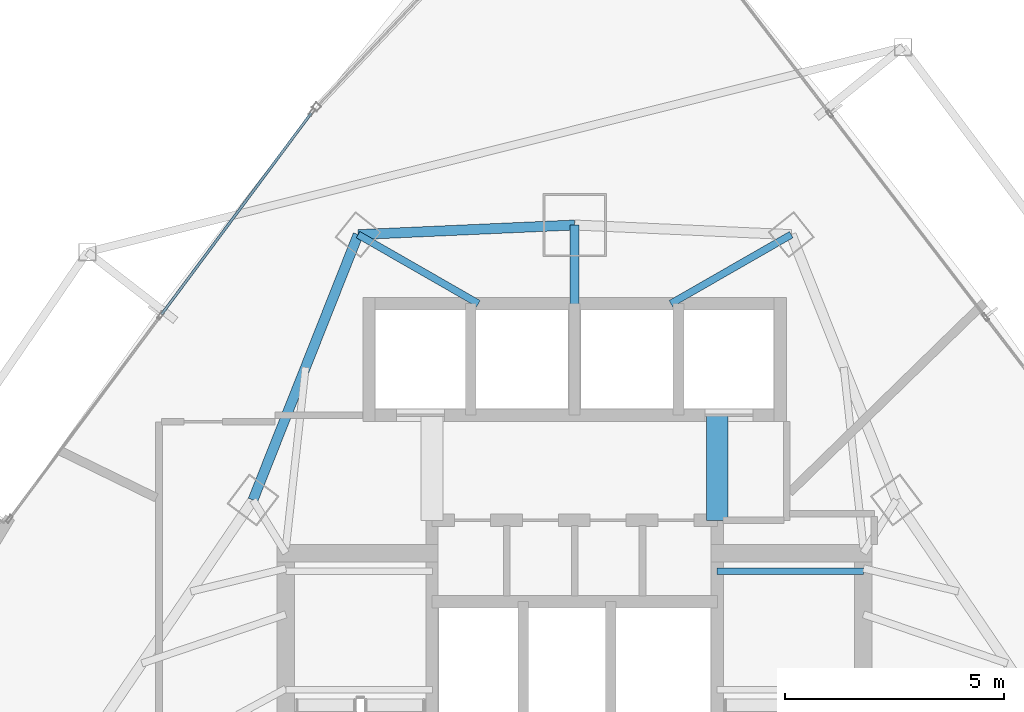
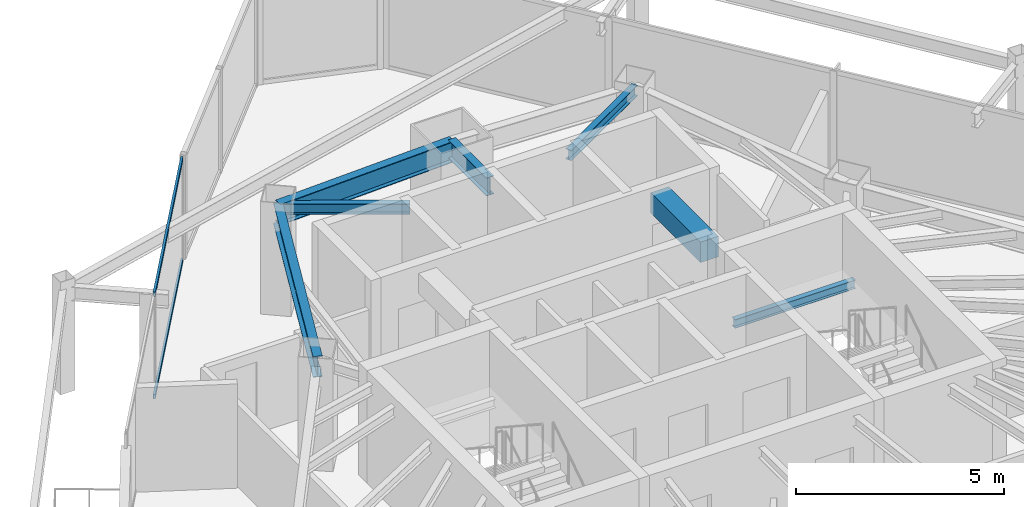
# One storey, part 18 of 31: 7 beams, 2 members, 1 element without a shape of its own.
"""IFC4 building model written with IfcOpenShell, lengths in metres."""

from ifc_helpers import new_model, si_unit, direction, frame, origin, origin_2d, place, context, subcontext, project, spatial, rectangle, hollow_rectangle, i_section, extrude, material, layer, layer_set, material_profile, profile_set, type_object, element, aggregate, save


model = new_model("IFC4")

# Units and contexts
model_context = context("Model", 3, precision=1e-05, world=origin(), true_north=direction((0.0, 1.0)))
body_context = subcontext(model_context, "Body", "Model", "MODEL_VIEW")
ifc_project = project(units=[si_unit("LENGTHUNIT", "METRE"), si_unit("AREAUNIT", "SQUARE_METRE"), si_unit("VOLUMEUNIT", "CUBIC_METRE"), si_unit("PLANEANGLEUNIT", "RADIAN"), si_unit("MASSUNIT", "GRAM", prefix="KILO")], contexts=[model_context])

# Site, building, storey
site_placement = place(None, origin())
site = spatial("IfcSite", under=ifc_project, at=site_placement, CompositionType="ELEMENT")
building_placement = place(site_placement, origin())
building = spatial("IfcBuilding", under=site, at=building_placement, Name="Orvanel Arch Residences", CompositionType="ELEMENT")
storey_placement = place(building_placement, frame((0.0, 0.0, 106.699951171875)))
storey = spatial("IfcBuildingStorey", under=building, at=storey_placement, Name="L29", CompositionType="ELEMENT", Elevation=106.699951171875)

# Beams
ifc_material_1 = material(Name="Structural steel AS/NZS 3679.1 Grade 300 (300 MPa)", Category="steel")
ifc_material_profile_1 = material_profile(ifc_material_1, i_section(OverallWidth=0.208984375, OverallDepth=0.532958984375, WebThickness=0.01025390625, FlangeThickness=0.015625, at=origin_2d()), Name="530UB92.4")
ifc_profile_set_1 = profile_set([ifc_material_profile_1], Name="Structural steel AS/NZS 3679.1 Grade 300 (300 MPa)")
beam_type_1 = type_object("IfcBeamType", Name="BG-530UB", PredefinedType="BEAM", material=ifc_profile_set_1)
beam_1_placement = place(storey_placement, frame((33.0, 39.550048828125, 2.7939453125), z_axis=(0.0, 1.0, 0.0), x_axis=(-1.0, 0.0, 0.0)))
element("IfcBeam", 1, at=beam_1_placement, inside=storey, type_object=beam_type_1, Name="L29 North Radial Girder", PredefinedType="BEAM", context=body_context, shape_type="SweptSolid", body=[
    extrude(i_section(OverallWidth=0.208984375, OverallDepth=0.532958984375, WebThickness=0.01025390625, FlangeThickness=0.015625, at=origin_2d()), origin(), (0.0, 0.0, 1.0), 1.847900390625),
])
ifc_material_profile_2 = material_profile(ifc_material_1, i_section(OverallWidth=0.14599609375, OverallDepth=0.251953125, WebThickness=0.006103515625, FlangeThickness=0.008544921875, at=origin_2d()), Name="250UB31.4")
ifc_profile_set_2 = profile_set([ifc_material_profile_2], Name="Structural steel AS/NZS 3679.1 Grade 300 (300 MPa)")
beam_type_2 = type_object("IfcBeamType", Name="BJ-250UB", PredefinedType="JOIST", material=ifc_profile_set_2)
beam_2_placement = place(storey_placement, frame((36.25, 33.47998046875, 1.323974609375), z_axis=(1.0, 0.0, 0.0), x_axis=(0.0, 1.0, 0.0)))
element("IfcBeam", 2, at=beam_2_placement, inside=storey, type_object=beam_type_2, Name="L29 ST-2 Half-Landing Support Beam 1.2", PredefinedType="JOIST", context=body_context, shape_type="SweptSolid", body=[
    extrude(i_section(OverallWidth=0.14599609375, OverallDepth=0.251953125, WebThickness=0.006103515625, FlangeThickness=0.008544921875, at=origin_2d()), origin(), (0.0, 0.0, 1.0), 3.35009765625),
])
ifc_material_profile_3 = material_profile(ifc_material_1, i_section(OverallWidth=0.1650390625, OverallDepth=0.303955078125, WebThickness=0.006103515625, FlangeThickness=0.01025390625, at=origin_2d()), Name="310UB40.4")
ifc_profile_set_3 = profile_set([ifc_material_profile_3], Name="Structural steel AS/NZS 3679.1 Grade 300 (300 MPa)")
beam_type_3 = type_object("IfcBeamType", Name="BJ-310UB", PredefinedType="JOIST", material=ifc_profile_set_3)
for number, where, z_axis, x_axis, name in (
    (3, (30.800048828125, 39.60009765625, 2.907958984375), (-0.86736513383, 0.497672306458, 0.0), (-0.497672306458, -0.86736513383, 0.0), "L29 MNW Wing Floor Joist"),
    (4, (35.199951171875, 39.60009765625, 2.907958984375), (0.86736513383, 0.497672306458, 0.0), (-0.497672306458, 0.86736513383, 0.0), "L29 MNE Wing Floor Joist"),
):
    element("IfcBeam", number, at=place(storey_placement, frame(where, z_axis=z_axis, x_axis=x_axis)), inside=storey, type_object=beam_type_3, Name=name, PredefinedType="JOIST", context=body_context, shape_type="SweptSolid", body=[
        extrude(i_section(OverallWidth=0.1650390625, OverallDepth=0.303955078125, WebThickness=0.006103515625, FlangeThickness=0.01025390625, at=origin_2d()), origin(), (0.0, 0.0, 1.0), 3.17041015625),
    ])
ifc_material_2 = material(Name="Concrete S65 (65 MPa)", Category="concrete")
ifc_material_profile_4 = material_profile(ifc_material_2, rectangle(XDim=0.5, YDim=0.60009765625, at=origin_2d()), Name="RC500x600")
ifc_profile_set_4 = profile_set([ifc_material_profile_4], Name="Concrete S65 (65 MPa)")
beam_type_4 = type_object("IfcBeamType", Name="CB-500x600", PredefinedType="LINTEL", material=ifc_profile_set_4)
beam_3_placement = place(storey_placement, frame((36.260009765625, 34.64990234375, 2.760009765625), z_axis=(0.0, 1.0, 0.0), x_axis=(-1.0, 0.0, 0.0)))
element("IfcBeam", 5, at=beam_3_placement, inside=storey, type_object=beam_type_4, Name="L29 East Core Lobby Coupling Lintel Beam", PredefinedType="LINTEL", context=body_context, shape_type="SweptSolid", body=[
    extrude(rectangle(XDim=0.5, YDim=0.60009765625, at=origin_2d()), origin(), (0.0, 0.0, 1.0), 2.400146484375),
])
ifc_material_profile_5 = material_profile(ifc_material_1, i_section(OverallWidth=0.22900390625, OverallDepth=0.612060546875, WebThickness=0.011962890625, FlangeThickness=0.01953125, at=origin_2d()), Name="610UB125")
ifc_profile_set_5 = profile_set([ifc_material_profile_5], Name="Structural steel AS/NZS 3679.1 Grade 300 (300 MPa)")
beam_type_5 = type_object("IfcBeamType", Name="SP-610UB", PredefinedType="SPANDREL", material=ifc_profile_set_5)
beam_4_placement = place(storey_placement, frame((33.0, 41.39794921875, 2.754150390625), z_axis=(-0.999014049296, -0.044395149614, 0.0), x_axis=(0.044395149614, -0.999014049296, 0.0)))
element("IfcBeam", 6, at=beam_4_placement, inside=storey, type_object=beam_type_5, Name="L29 Perimeter Spandrel Beam 15", PredefinedType="SPANDREL", context=body_context, shape_type="SweptSolid", body=[
    extrude(i_section(OverallWidth=0.22900390625, OverallDepth=0.612060546875, WebThickness=0.011962890625, FlangeThickness=0.01953125, at=origin_2d()), origin(), (0.0, 0.0, 1.0), 4.954833984375),
])
beam_5_placement = place(storey_placement, frame((28.050048828125, 41.177978515625, 2.754150390625), z_axis=(-0.368233143579, -0.929733484376, 0.0), x_axis=(0.929733484376, -0.368233143579, 0.0)))
element("IfcBeam", 7, at=beam_5_placement, inside=storey, type_object=beam_type_5, Name="L29 Perimeter Spandrel Beam 16", PredefinedType="SPANDREL", context=body_context, shape_type="SweptSolid", body=[
    extrude(i_section(OverallWidth=0.22900390625, OverallDepth=0.612060546875, WebThickness=0.011962890625, FlangeThickness=0.01953125, at=origin_2d()), origin(), (0.0, 0.0, 1.0), 6.523193359375),
])

# Curtain wall, members
ifc_material_3 = material(Name="Bronze-anodised aluminium AA6063-T6", Category="aluminium")
ifc_layer = layer(ifc_material_3, 0.179931640625)
ifc_layer_set = layer_set([ifc_layer], Name="Bronze-anodised aluminium AA6063-T6")
curtain_wall_type = type_object("IfcCurtainWallType", Name="CW3-MID-SYS", PredefinedType="NOTDEFINED", material=ifc_layer_set)
curtain_wall_placement = place(storey_placement, origin())
curtain_wall = element("IfcCurtainWall", 8, at=curtain_wall_placement, inside=storey, type_object=curtain_wall_type, Name="L29 CW3-MID-SYS Unitised Curtain Wall", PredefinedType="NOTDEFINED")
ifc_material_profile_6 = material_profile(ifc_material_3, hollow_rectangle(XDim=0.06005859375, YDim=0.135009765625, WallThickness=0.00390625, at=origin_2d()), Name="ALU135x60x4")
ifc_profile_set_6 = profile_set([ifc_material_profile_6], Name="Bronze-anodised aluminium AA6063-T6")
member_type = type_object("IfcMemberType", Name="TRN-135x60", PredefinedType="USERDEFINED", material=ifc_profile_set_6)
member_1_placement = place(storey_placement, frame((26.979248046875, 43.952880859375, 0.030029296875), z_axis=(-0.596981423702, -0.80225505904, 0.0), x_axis=(0.80225505904, -0.596981423702, 0.0)))
member_1 = element("IfcMember", 9, at=member_1_placement, type_object=member_type, Name="CW-S3 transom 1.1", ObjectType="TRANSOM", PredefinedType="USERDEFINED", context=body_context, shape_type="SweptSolid", body=[
    extrude(hollow_rectangle(XDim=0.06005859375, YDim=0.135009765625, WallThickness=0.00390625, at=origin_2d()), origin(), (0.0, 0.0, 1.0), 5.727783203125),
])
member_2_placement = place(storey_placement, frame((26.979248046875, 43.952880859375, 3.030029296875), z_axis=(-0.596981423702, -0.80225505904, 0.0), x_axis=(0.80225505904, -0.596981423702, 0.0)))
member_2 = element("IfcMember", 10, at=member_2_placement, type_object=member_type, Name="CW-S3 transom 1.2", ObjectType="TRANSOM", PredefinedType="USERDEFINED", context=body_context, shape_type="SweptSolid", body=[
    extrude(hollow_rectangle(XDim=0.06005859375, YDim=0.135009765625, WallThickness=0.00390625, at=origin_2d()), origin(), (0.0, 0.0, 1.0), 5.727783203125),
])
aggregate(curtain_wall, [member_1, member_2])

save(model, "model.ifc")
